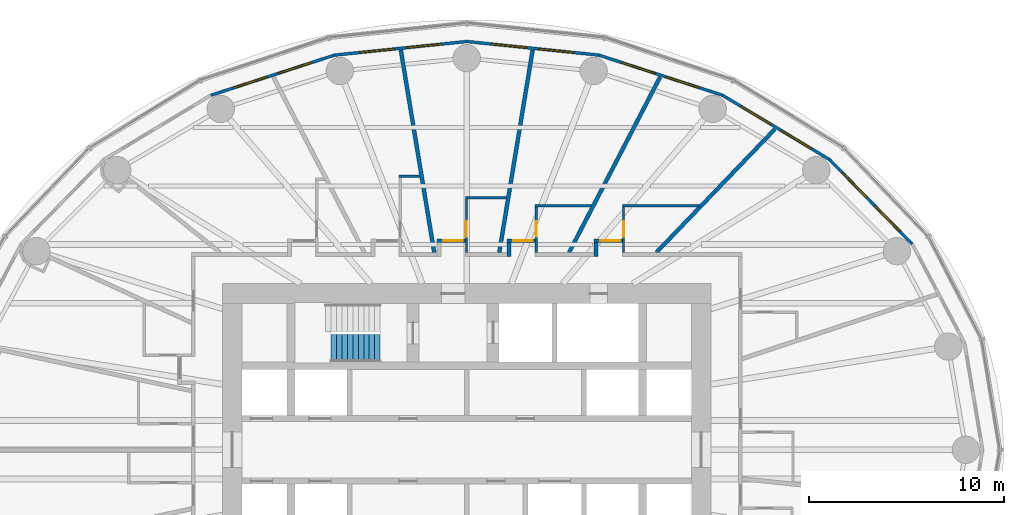
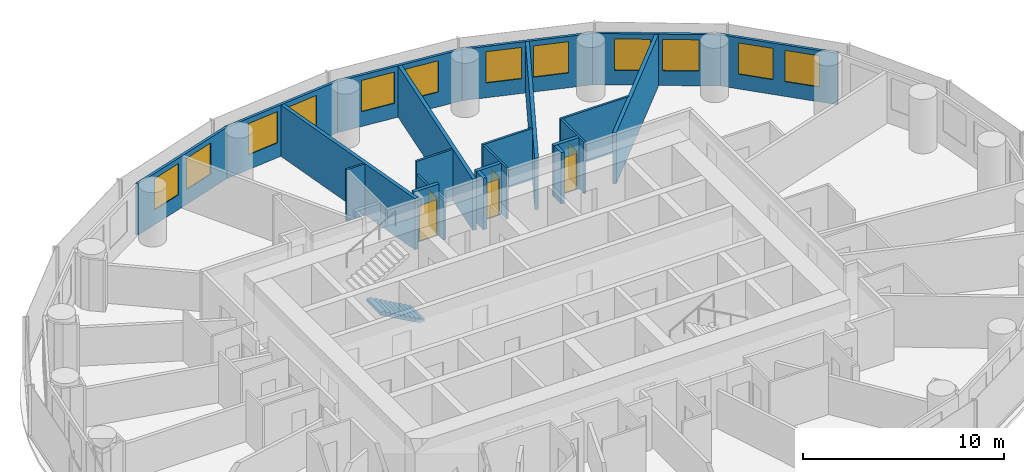
# One storey, part 12 of 14: 22 walls, 12 windows, 6 doors, 1 stair flight, 18 openings, 1 element without a shape of its own.
"""IFC4 building model written with IfcOpenShell, lengths in metres."""

from ifc_helpers import new_model, si_unit, direction, frame, frame_2d, origin, place, context, subcontext, project, spatial, polyline, rectangle, outline, extrude, material, layer, layer_set, type_object, element, fill, aggregate, save


model = new_model("IFC4")

# Units and contexts
model_context = context("Model", 3, precision=1e-05, world=origin(), true_north=direction((0.0, 1.0)))
body_context = subcontext(model_context, "Body", "Model", "MODEL_VIEW")
ifc_project = project(units=[si_unit("LENGTHUNIT", "METRE"), si_unit("AREAUNIT", "SQUARE_METRE"), si_unit("VOLUMEUNIT", "CUBIC_METRE"), si_unit("PLANEANGLEUNIT", "RADIAN"), si_unit("MASSUNIT", "GRAM", prefix="KILO")], contexts=[model_context])

# Site, building, storey
site_placement = place(None, origin())
site = spatial("IfcSite", under=ifc_project, at=site_placement, CompositionType="ELEMENT")
building_placement = place(site_placement, origin())
building = spatial("IfcBuilding", under=site, at=building_placement, Name="Hankou Lantern Tower", CompositionType="ELEMENT")
storey_placement = place(building_placement, frame((0.0, 0.0, 54.0)))
storey = spatial("IfcBuildingStorey", under=building, at=storey_placement, Name="L12", CompositionType="ELEMENT", Elevation=54.0)

# Wall, openings, windows
ifc_material_1 = material(Name="Aluminium spandrel panel on steel studs", Category="steel")
ifc_layer_1 = layer(ifc_material_1, 0.14990234375)
ifc_layer_set_1 = layer_set([ifc_layer_1], Name="Aluminium spandrel panel on steel studs")
wall_type_1 = type_object("IfcWallType", Name="EW1 INNER SKIN WALL 150", PredefinedType="ELEMENTEDWALL", material=ifc_layer_set_1)
wall_1_placement = place(storey_placement, frame((22.802734375, 10.5322265625, 0.0), z_axis=(0.0, 0.0, 1.0), x_axis=(-0.699602905915, 0.714531856557, 0.0)))
wall_1 = element("IfcWall", 1, at=wall_1_placement, inside=storey, type_object=wall_type_1, Name="Inner skin R03-R04 L12", PredefinedType="ELEMENTEDWALL", context=body_context, shape_type="SweptSolid", body=[
    extrude(rectangle(XDim=6.05078125, YDim=0.14990234375, at=frame_2d((3.025390625, 0.0))), origin(), (0.0, 0.0, 1.0), 3.1201171875),
])
opening_1_placement = place(wall_1_placement, frame((0.925537109375, 0.0, 0.89990234375)))
opening_1 = element("IfcOpeningElement", 2, at=opening_1_placement, cuts=wall_1, Name="Opening W1", PredefinedType="OPENING", context=body_context, shape_type="SweptSolid", body=[
    extrude(rectangle(XDim=1.800048828125, YDim=1.89990234375, at=frame_2d((0.89990234375, 0.949951171875))), frame((0.0, 0.0849609375, 0.0), z_axis=(0.0, -1.0, 0.0), x_axis=(1.0, 0.0, 0.0)), (0.0, 0.0, 1.0), 0.169921875),
])
opening_2_placement = place(wall_1_placement, frame((3.325439453125, 0.0, 0.89990234375)))
opening_2 = element("IfcOpeningElement", 3, at=opening_2_placement, cuts=wall_1, Name="Opening W1", PredefinedType="OPENING", context=body_context, shape_type="SweptSolid", body=[
    extrude(rectangle(XDim=1.800048828125, YDim=1.89990234375, at=frame_2d((0.89990234375, 0.949951171875))), frame((0.0, 0.0849609375, 0.0), z_axis=(0.0, -1.0, 0.0), x_axis=(1.0, 0.0, 0.0)), (0.0, 0.0, 1.0), 0.169921875),
])
ifc_material_2 = material(Name="Aluminium framed double glazed window", Category="aluminium")
window_type = type_object("IfcWindowType", Name="W1 GUEST ROOM WINDOW 1800X1900", PartitioningType="DOUBLE_PANEL_VERTICAL", PredefinedType="WINDOW", material=ifc_material_2)
window_1_placement = place(opening_1_placement, origin())
window_1 = element("IfcWindow", 4, at=window_1_placement, inside=storey, type_object=window_type, Name="Window R03.1 L12", OverallHeight=1.89990234375, OverallWidth=1.800048828125, PartitioningType="SINGLE_PANEL", PredefinedType="WINDOW", context=body_context, shape_type="SweptSolid", body=[
    extrude(rectangle(XDim=1.800048828125, YDim=1.89990234375, at=frame_2d((0.89990234375, 0.949951171875))), frame((0.0, 0.030029296875, 0.0), z_axis=(0.0, -1.0, 0.0), x_axis=(1.0, 0.0, 0.0)), (0.0, 0.0, 1.0), 0.06005859375),
])
fill(opening_1, window_1)
window_2_placement = place(opening_2_placement, origin())
window_2 = element("IfcWindow", 5, at=window_2_placement, inside=storey, type_object=window_type, Name="Window R03.2 L12", OverallHeight=1.89990234375, OverallWidth=1.800048828125, PartitioningType="SINGLE_PANEL", PredefinedType="WINDOW", context=body_context, shape_type="SweptSolid", body=[
    extrude(rectangle(XDim=1.800048828125, YDim=1.89990234375, at=frame_2d((0.89990234375, 0.949951171875))), frame((0.0, 0.030029296875, 0.0), z_axis=(0.0, -1.0, 0.0), x_axis=(1.0, 0.0, 0.0)), (0.0, 0.0, 1.0), 0.06005859375),
])
fill(opening_2, window_2)

wall_2_placement = place(storey_placement, frame((18.569580078125, 14.855712890625, 0.0), z_axis=(0.0, 0.0, 1.0), x_axis=(-0.856983180864, 0.515344377787, 0.0)))
wall_2 = element("IfcWall", 6, at=wall_2_placement, inside=storey, type_object=wall_type_1, Name="Inner skin R04-R05 L12", PredefinedType="ELEMENTEDWALL", context=body_context, shape_type="SweptSolid", body=[
    extrude(rectangle(XDim=6.386474609375, YDim=0.14990234375, at=frame_2d((3.193359375, 0.0))), origin(), (0.0, 0.0, 1.0), 3.1201171875),
])
opening_3_placement = place(wall_2_placement, frame((1.09326171875, 0.0, 0.89990234375)))
opening_3 = element("IfcOpeningElement", 7, at=opening_3_placement, cuts=wall_2, Name="Opening W1", PredefinedType="OPENING", context=body_context, shape_type="SweptSolid", body=[
    extrude(rectangle(XDim=1.800048828125, YDim=1.89990234375, at=frame_2d((0.89990234375, 0.949951171875))), frame((0.0, 0.0849609375, 0.0), z_axis=(0.0, -1.0, 0.0), x_axis=(1.0, 0.0, 0.0)), (0.0, 0.0, 1.0), 0.169921875),
])
opening_4_placement = place(wall_2_placement, frame((3.4931640625, 0.0, 0.89990234375)))
opening_4 = element("IfcOpeningElement", 8, at=opening_4_placement, cuts=wall_2, Name="Opening W1", PredefinedType="OPENING", context=body_context, shape_type="SweptSolid", body=[
    extrude(rectangle(XDim=1.800048828125, YDim=1.89990234375, at=frame_2d((0.89990234375, 0.949951171875))), frame((0.0, 0.0849609375, 0.0), z_axis=(0.0, -1.0, 0.0), x_axis=(1.0, 0.0, 0.0)), (0.0, 0.0, 1.0), 0.169921875),
])
window_3_placement = place(opening_3_placement, origin())
window_3 = element("IfcWindow", 9, at=window_3_placement, inside=storey, type_object=window_type, Name="Window R04.1 L12", OverallHeight=1.89990234375, OverallWidth=1.800048828125, PartitioningType="SINGLE_PANEL", PredefinedType="WINDOW", context=body_context, shape_type="SweptSolid", body=[
    extrude(rectangle(XDim=1.800048828125, YDim=1.89990234375, at=frame_2d((0.89990234375, 0.949951171875))), frame((0.0, 0.030029296875, 0.0), z_axis=(0.0, -1.0, 0.0), x_axis=(1.0, 0.0, 0.0)), (0.0, 0.0, 1.0), 0.06005859375),
])
fill(opening_3, window_3)
window_4_placement = place(opening_4_placement, origin())
window_4 = element("IfcWindow", 10, at=window_4_placement, inside=storey, type_object=window_type, Name="Window R04.2 L12", OverallHeight=1.89990234375, OverallWidth=1.800048828125, PartitioningType="SINGLE_PANEL", PredefinedType="WINDOW", context=body_context, shape_type="SweptSolid", body=[
    extrude(rectangle(XDim=1.800048828125, YDim=1.89990234375, at=frame_2d((0.89990234375, 0.949951171875))), frame((0.0, 0.030029296875, 0.0), z_axis=(0.0, -1.0, 0.0), x_axis=(1.0, 0.0, 0.0)), (0.0, 0.0, 1.0), 0.06005859375),
])
fill(opening_4, window_4)

wall_3_placement = place(storey_placement, frame((13.096435546875, 18.14697265625, 0.0), z_axis=(0.0, 0.0, 1.0), x_axis=(-0.951137534625, 0.308767534285, 0.0)))
wall_3 = element("IfcWall", 11, at=wall_3_placement, inside=storey, type_object=wall_type_1, Name="Inner skin R05-R06 L12", PredefinedType="ELEMENTEDWALL", context=body_context, shape_type="SweptSolid", body=[
    extrude(rectangle(XDim=6.6552734375, YDim=0.14990234375, at=frame_2d((3.32763671875, 0.0))), origin(), (0.0, 0.0, 1.0), 3.1201171875),
])
opening_5_placement = place(wall_3_placement, frame((1.2275390625, 0.0, 0.89990234375)))
opening_5 = element("IfcOpeningElement", 12, at=opening_5_placement, cuts=wall_3, Name="Opening W1", PredefinedType="OPENING", context=body_context, shape_type="SweptSolid", body=[
    extrude(rectangle(XDim=1.800048828125, YDim=1.89990234375, at=frame_2d((0.89990234375, 0.949951171875))), frame((0.0, 0.0849609375, 0.0), z_axis=(0.0, -1.0, 0.0), x_axis=(1.0, 0.0, 0.0)), (0.0, 0.0, 1.0), 0.169921875),
])
opening_6_placement = place(wall_3_placement, frame((3.627685546875, 0.0, 0.89990234375)))
opening_6 = element("IfcOpeningElement", 13, at=opening_6_placement, cuts=wall_3, Name="Opening W1", PredefinedType="OPENING", context=body_context, shape_type="SweptSolid", body=[
    extrude(rectangle(XDim=1.800048828125, YDim=1.89990234375, at=frame_2d((0.89990234375, 0.949951171875))), frame((0.0, 0.0849609375, 0.0), z_axis=(0.0, -1.0, 0.0), x_axis=(1.0, 0.0, 0.0)), (0.0, 0.0, 1.0), 0.169921875),
])
window_5_placement = place(opening_5_placement, origin())
window_5 = element("IfcWindow", 14, at=window_5_placement, inside=storey, type_object=window_type, Name="Window R05.1 L12", OverallHeight=1.89990234375, OverallWidth=1.800048828125, PartitioningType="SINGLE_PANEL", PredefinedType="WINDOW", context=body_context, shape_type="SweptSolid", body=[
    extrude(rectangle(XDim=1.800048828125, YDim=1.89990234375, at=frame_2d((0.89990234375, 0.949951171875))), frame((0.0, 0.030029296875, 0.0), z_axis=(0.0, -1.0, 0.0), x_axis=(1.0, 0.0, 0.0)), (0.0, 0.0, 1.0), 0.06005859375),
])
fill(opening_5, window_5)
window_6_placement = place(opening_6_placement, origin())
window_6 = element("IfcWindow", 15, at=window_6_placement, inside=storey, type_object=window_type, Name="Window R05.2 L12", OverallHeight=1.89990234375, OverallWidth=1.800048828125, PartitioningType="SINGLE_PANEL", PredefinedType="WINDOW", context=body_context, shape_type="SweptSolid", body=[
    extrude(rectangle(XDim=1.800048828125, YDim=1.89990234375, at=frame_2d((0.89990234375, 0.949951171875))), frame((0.0, 0.030029296875, 0.0), z_axis=(0.0, -1.0, 0.0), x_axis=(1.0, 0.0, 0.0)), (0.0, 0.0, 1.0), 0.06005859375),
])
fill(opening_6, window_6)

wall_4_placement = place(storey_placement, frame((6.766357421875, 20.201904296875, 0.0), z_axis=(0.0, 0.0, 1.0), x_axis=(-0.994721394369, 0.102612609291, 0.0)))
wall_4 = element("IfcWall", 16, at=wall_4_placement, inside=storey, type_object=wall_type_1, Name="Inner skin R06-R07 L12", PredefinedType="ELEMENTEDWALL", context=body_context, shape_type="SweptSolid", body=[
    extrude(rectangle(XDim=6.80224609375, YDim=0.14990234375, at=frame_2d((3.401123046875, 0.0))), origin(), (0.0, 0.0, 1.0), 3.1201171875),
])
opening_7_placement = place(wall_4_placement, frame((1.301025390625, 0.0, 0.89990234375)))
opening_7 = element("IfcOpeningElement", 17, at=opening_7_placement, cuts=wall_4, Name="Opening W1", PredefinedType="OPENING", context=body_context, shape_type="SweptSolid", body=[
    extrude(rectangle(XDim=1.800048828125, YDim=1.89990234375, at=frame_2d((0.89990234375, 0.949951171875))), frame((0.0, 0.0849609375, 0.0), z_axis=(0.0, -1.0, 0.0), x_axis=(1.0, 0.0, 0.0)), (0.0, 0.0, 1.0), 0.169921875),
])
opening_8_placement = place(wall_4_placement, frame((3.701171875, 0.0, 0.89990234375)))
opening_8 = element("IfcOpeningElement", 18, at=opening_8_placement, cuts=wall_4, Name="Opening W1", PredefinedType="OPENING", context=body_context, shape_type="SweptSolid", body=[
    extrude(rectangle(XDim=1.800048828125, YDim=1.89990234375, at=frame_2d((0.89990234375, 0.949951171875))), frame((0.0, 0.0849609375, 0.0), z_axis=(0.0, -1.0, 0.0), x_axis=(1.0, 0.0, 0.0)), (0.0, 0.0, 1.0), 0.169921875),
])
window_7_placement = place(opening_7_placement, origin())
window_7 = element("IfcWindow", 19, at=window_7_placement, inside=storey, type_object=window_type, Name="Window R06.1 L12", OverallHeight=1.89990234375, OverallWidth=1.800048828125, PartitioningType="SINGLE_PANEL", PredefinedType="WINDOW", context=body_context, shape_type="SweptSolid", body=[
    extrude(rectangle(XDim=1.800048828125, YDim=1.89990234375, at=frame_2d((0.89990234375, 0.949951171875))), frame((0.0, 0.030029296875, 0.0), z_axis=(0.0, -1.0, 0.0), x_axis=(1.0, 0.0, 0.0)), (0.0, 0.0, 1.0), 0.06005859375),
])
fill(opening_7, window_7)
window_8_placement = place(opening_8_placement, origin())
window_8 = element("IfcWindow", 20, at=window_8_placement, inside=storey, type_object=window_type, Name="Window R06.2 L12", OverallHeight=1.89990234375, OverallWidth=1.800048828125, PartitioningType="SINGLE_PANEL", PredefinedType="WINDOW", context=body_context, shape_type="SweptSolid", body=[
    extrude(rectangle(XDim=1.800048828125, YDim=1.89990234375, at=frame_2d((0.89990234375, 0.949951171875))), frame((0.0, 0.030029296875, 0.0), z_axis=(0.0, -1.0, 0.0), x_axis=(1.0, 0.0, 0.0)), (0.0, 0.0, 1.0), 0.06005859375),
])
fill(opening_8, window_8)

wall_5_placement = place(storey_placement, frame((0.0, 20.89990234375, 0.0), z_axis=(0.0, 0.0, 1.0), x_axis=(-0.994721394369, -0.102612609291, 0.0)))
wall_5 = element("IfcWall", 21, at=wall_5_placement, inside=storey, type_object=wall_type_1, Name="Inner skin R07-R08 L12", PredefinedType="ELEMENTEDWALL", context=body_context, shape_type="SweptSolid", body=[
    extrude(rectangle(XDim=6.80224609375, YDim=0.14990234375, at=frame_2d((3.401123046875, 0.0))), origin(), (0.0, 0.0, 1.0), 3.1201171875),
])
opening_9_placement = place(wall_5_placement, frame((1.301025390625, 0.0, 0.89990234375)))
opening_9 = element("IfcOpeningElement", 22, at=opening_9_placement, cuts=wall_5, Name="Opening W1", PredefinedType="OPENING", context=body_context, shape_type="SweptSolid", body=[
    extrude(rectangle(XDim=1.800048828125, YDim=1.89990234375, at=frame_2d((0.89990234375, 0.949951171875))), frame((0.0, 0.0849609375, 0.0), z_axis=(0.0, -1.0, 0.0), x_axis=(1.0, 0.0, 0.0)), (0.0, 0.0, 1.0), 0.169921875),
])
opening_10_placement = place(wall_5_placement, frame((3.701171875, 0.0, 0.89990234375)))
opening_10 = element("IfcOpeningElement", 23, at=opening_10_placement, cuts=wall_5, Name="Opening W1", PredefinedType="OPENING", context=body_context, shape_type="SweptSolid", body=[
    extrude(rectangle(XDim=1.800048828125, YDim=1.89990234375, at=frame_2d((0.89990234375, 0.949951171875))), frame((0.0, 0.0849609375, 0.0), z_axis=(0.0, -1.0, 0.0), x_axis=(1.0, 0.0, 0.0)), (0.0, 0.0, 1.0), 0.169921875),
])
window_9_placement = place(opening_9_placement, origin())
window_9 = element("IfcWindow", 24, at=window_9_placement, inside=storey, type_object=window_type, Name="Window R07.1 L12", OverallHeight=1.89990234375, OverallWidth=1.800048828125, PartitioningType="SINGLE_PANEL", PredefinedType="WINDOW", context=body_context, shape_type="SweptSolid", body=[
    extrude(rectangle(XDim=1.800048828125, YDim=1.89990234375, at=frame_2d((0.89990234375, 0.949951171875))), frame((0.0, 0.030029296875, 0.0), z_axis=(0.0, -1.0, 0.0), x_axis=(1.0, 0.0, 0.0)), (0.0, 0.0, 1.0), 0.06005859375),
])
fill(opening_9, window_9)
window_10_placement = place(opening_10_placement, origin())
window_10 = element("IfcWindow", 25, at=window_10_placement, inside=storey, type_object=window_type, Name="Window R07.2 L12", OverallHeight=1.89990234375, OverallWidth=1.800048828125, PartitioningType="SINGLE_PANEL", PredefinedType="WINDOW", context=body_context, shape_type="SweptSolid", body=[
    extrude(rectangle(XDim=1.800048828125, YDim=1.89990234375, at=frame_2d((0.89990234375, 0.949951171875))), frame((0.0, 0.030029296875, 0.0), z_axis=(0.0, -1.0, 0.0), x_axis=(1.0, 0.0, 0.0)), (0.0, 0.0, 1.0), 0.06005859375),
])
fill(opening_10, window_10)

wall_6_placement = place(storey_placement, frame((-6.766357421875, 20.201904296875, 0.0), z_axis=(0.0, 0.0, 1.0), x_axis=(-0.951137534625, -0.308767534285, 0.0)))
wall_6 = element("IfcWall", 26, at=wall_6_placement, inside=storey, type_object=wall_type_1, Name="Inner skin R08-R09 L12", PredefinedType="ELEMENTEDWALL", context=body_context, shape_type="SweptSolid", body=[
    extrude(rectangle(XDim=6.6552734375, YDim=0.14990234375, at=frame_2d((3.32763671875, 0.0))), origin(), (0.0, 0.0, 1.0), 3.1201171875),
])
opening_11_placement = place(wall_6_placement, frame((1.2275390625, 0.0, 0.89990234375)))
opening_11 = element("IfcOpeningElement", 27, at=opening_11_placement, cuts=wall_6, Name="Opening W1", PredefinedType="OPENING", context=body_context, shape_type="SweptSolid", body=[
    extrude(rectangle(XDim=1.800048828125, YDim=1.89990234375, at=frame_2d((0.89990234375, 0.949951171875))), frame((0.0, 0.0849609375, 0.0), z_axis=(0.0, -1.0, 0.0), x_axis=(1.0, 0.0, 0.0)), (0.0, 0.0, 1.0), 0.169921875),
])
opening_12_placement = place(wall_6_placement, frame((3.627685546875, 0.0, 0.89990234375)))
opening_12 = element("IfcOpeningElement", 28, at=opening_12_placement, cuts=wall_6, Name="Opening W1", PredefinedType="OPENING", context=body_context, shape_type="SweptSolid", body=[
    extrude(rectangle(XDim=1.800048828125, YDim=1.89990234375, at=frame_2d((0.89990234375, 0.949951171875))), frame((0.0, 0.0849609375, 0.0), z_axis=(0.0, -1.0, 0.0), x_axis=(1.0, 0.0, 0.0)), (0.0, 0.0, 1.0), 0.169921875),
])
window_11_placement = place(opening_11_placement, origin())
window_11 = element("IfcWindow", 29, at=window_11_placement, inside=storey, type_object=window_type, Name="Window R08.1 L12", OverallHeight=1.89990234375, OverallWidth=1.800048828125, PartitioningType="SINGLE_PANEL", PredefinedType="WINDOW", context=body_context, shape_type="SweptSolid", body=[
    extrude(rectangle(XDim=1.800048828125, YDim=1.89990234375, at=frame_2d((0.89990234375, 0.949951171875))), frame((0.0, 0.030029296875, 0.0), z_axis=(0.0, -1.0, 0.0), x_axis=(1.0, 0.0, 0.0)), (0.0, 0.0, 1.0), 0.06005859375),
])
fill(opening_11, window_11)
window_12_placement = place(opening_12_placement, origin())
window_12 = element("IfcWindow", 30, at=window_12_placement, inside=storey, type_object=window_type, Name="Window R08.2 L12", OverallHeight=1.89990234375, OverallWidth=1.800048828125, PartitioningType="SINGLE_PANEL", PredefinedType="WINDOW", context=body_context, shape_type="SweptSolid", body=[
    extrude(rectangle(XDim=1.800048828125, YDim=1.89990234375, at=frame_2d((0.89990234375, 0.949951171875))), frame((0.0, 0.030029296875, 0.0), z_axis=(0.0, -1.0, 0.0), x_axis=(1.0, 0.0, 0.0)), (0.0, 0.0, 1.0), 0.06005859375),
])
fill(opening_12, window_12)

# Walls
ifc_material_3 = material(Name="Masonry lightweight concrete block", Category="masonry")
ifc_layer_2 = layer(ifc_material_3, 0.199951171875)
ifc_layer_set_2 = layer_set([ifc_layer_2], Name="Masonry lightweight concrete block")
wall_type_2 = type_object("IfcWallType", Name="IW1 GUEST ROOM PARTY WALL 200", PredefinedType="PARTITIONING", material=ifc_layer_set_2)
wall_7_placement = place(storey_placement, frame((9.705078125, 10.10009765625, 0.0), z_axis=(0.0, 0.0, 1.0), x_axis=(0.692879226267, 0.721053658064, 0.0)))
element("IfcWall", 31, at=wall_7_placement, inside=storey, type_object=wall_type_2, Name="Party wall R04-R05", PredefinedType="PARTITIONING", context=body_context, shape_type="SweptSolid", body=[
    extrude(rectangle(XDim=8.7607421875, YDim=0.199951171875, at=frame_2d((4.38037109375, 0.0))), origin(), (0.0, 0.0, 1.0), 3.1201171875),
])
wall_8_placement = place(storey_placement, frame((5.238525390625, 10.10009765625, 0.0), z_axis=(0.0, 0.0, 1.0), x_axis=(0.460422783389, 0.887699758103, 0.0)))
element("IfcWall", 32, at=wall_8_placement, inside=storey, type_object=wall_type_2, Name="Party wall R05-R06", PredefinedType="PARTITIONING", context=body_context, shape_type="SweptSolid", body=[
    extrude(rectangle(XDim=10.120361328125, YDim=0.199951171875, at=frame_2d((5.06005859375, 0.0))), origin(), (0.0, 0.0, 1.0), 3.1201171875),
])
for number, where, z_axis, x_axis, name in (
    (33, (1.6650390625, 10.10009765625, 0.0), (0.0, 0.0, 1.0), (0.162657606458, 0.986682574621, 0.0), "Party wall R06-R07"),
    (34, (-1.6650390625, 10.10009765625, 0.0), (0.0, 0.0, 1.0), (-0.162657606458, 0.986682574621, 0.0), "Party wall R07-R08"),
):
    element("IfcWall", number, at=place(storey_placement, frame(where, z_axis=z_axis, x_axis=x_axis)), inside=storey, type_object=wall_type_2, Name=name, PredefinedType="PARTITIONING", context=body_context, shape_type="SweptSolid", body=[
        extrude(rectangle(XDim=10.505126953125, YDim=0.199951171875, at=frame_2d((5.25244140625, 0.0))), origin(), (0.0, 0.0, 1.0), 3.1201171875),
    ])

# Wall, opening, door
ifc_material_4 = material(Name="Masonry lightweight concrete block", Category="masonry")
ifc_layer_3 = layer(ifc_material_4, 0.199951171875)
ifc_layer_set_3 = layer_set([ifc_layer_3], Name="Masonry lightweight concrete block")
wall_type_3 = type_object("IfcWallType", Name="IW2 CORRIDOR WALL 200", PredefinedType="PARTITIONING", material=ifc_layer_set_3)
wall_9_placement = place(storey_placement, frame((6.525146484375, 10.699951171875, 0.0), z_axis=(0.0, 0.0, 1.0), x_axis=(1.0, 0.0, 0.0)))
wall_9 = element("IfcWall", 35, at=wall_9_placement, inside=storey, type_object=wall_type_3, Name="Corridor recess wall 1201 back", PredefinedType="PARTITIONING", context=body_context, shape_type="SweptSolid", body=[
    extrude(rectangle(XDim=1.43994140625, YDim=0.199951171875, at=frame_2d((0.719970703125, 0.0))), origin(), (0.0, 0.0, 1.0), 3.1201171875),
])
opening_13_placement = place(wall_9_placement, frame((0.320068359375, 0.0, 0.0)))
opening_13 = element("IfcOpeningElement", 36, at=opening_13_placement, cuts=wall_9, Name="Opening D1", PredefinedType="OPENING", context=body_context, shape_type="SweptSolid", body=[
    extrude(rectangle(XDim=1.0, YDim=2.199951171875, at=frame_2d((0.5, 1.10009765625))), frame((0.0, 0.10986328125, 0.0), z_axis=(0.0, -1.0, 0.0), x_axis=(1.0, 0.0, 0.0)), (0.0, 0.0, 1.0), 0.219970703125),
])
ifc_material_5 = material(Name="Steel door leaf", Category="steel")
door_type_1 = type_object("IfcDoorType", Name="D1 GUEST ROOM DOOR 1000X2200", OperationType="SINGLE_SWING_LEFT", PredefinedType="DOOR", material=ifc_material_5)
door_1_placement = place(opening_13_placement, origin())
door_1 = element("IfcDoor", 37, at=door_1_placement, inside=storey, type_object=door_type_1, Name="Guest room door 1201", OperationType="SINGLE_SWING_RIGHT", OverallHeight=2.199951171875, OverallWidth=1.0, PredefinedType="DOOR", context=body_context, shape_type="SweptSolid", body=[
    extrude(rectangle(XDim=1.0, YDim=2.199951171875, at=frame_2d((0.5, 1.10009765625))), frame((0.0, 0.02490234375, 0.0), z_axis=(0.0, -1.0, 0.0), x_axis=(1.0, 0.0, 0.0)), (0.0, 0.0, 1.0), 0.050048828125),
])
fill(opening_13, door_1)

# Wall
wall_10_placement = place(storey_placement, frame((6.625, 9.89990234375, 0.0), z_axis=(0.0, 0.0, 1.0), x_axis=(0.0, 1.0, 0.0)))
element("IfcWall", 38, at=wall_10_placement, inside=storey, type_object=wall_type_3, Name="Corridor recess wall 1201 side", PredefinedType="PARTITIONING", context=body_context, shape_type="SweptSolid", body=[
    extrude(rectangle(XDim=0.7001953125, YDim=0.199951171875, at=frame_2d((0.35009765625, 0.0))), origin(), (0.0, 0.0, 1.0), 3.1201171875),
])

# Wall, opening, door
wall_11_placement = place(storey_placement, frame((2.05859375, 10.699951171875, 0.0), z_axis=(0.0, 0.0, 1.0), x_axis=(1.0, 0.0, 0.0)))
wall_11 = element("IfcWall", 39, at=wall_11_placement, inside=storey, type_object=wall_type_3, Name="Corridor recess wall 1202 back", PredefinedType="PARTITIONING", context=body_context, shape_type="SweptSolid", body=[
    extrude(rectangle(XDim=1.43994140625, YDim=0.199951171875, at=frame_2d((0.719970703125, 0.0))), origin(), (0.0, 0.0, 1.0), 3.1201171875),
])
opening_14_placement = place(wall_11_placement, frame((0.320068359375, 0.0, 0.0)))
opening_14 = element("IfcOpeningElement", 40, at=opening_14_placement, cuts=wall_11, Name="Opening D1", PredefinedType="OPENING", context=body_context, shape_type="SweptSolid", body=[
    extrude(rectangle(XDim=1.0, YDim=2.199951171875, at=frame_2d((0.5, 1.10009765625))), frame((0.0, 0.10986328125, 0.0), z_axis=(0.0, -1.0, 0.0), x_axis=(1.0, 0.0, 0.0)), (0.0, 0.0, 1.0), 0.219970703125),
])
door_2_placement = place(opening_14_placement, origin())
door_2 = element("IfcDoor", 41, at=door_2_placement, inside=storey, type_object=door_type_1, Name="Guest room door 1202", OperationType="SINGLE_SWING_RIGHT", OverallHeight=2.199951171875, OverallWidth=1.0, PredefinedType="DOOR", context=body_context, shape_type="SweptSolid", body=[
    extrude(rectangle(XDim=1.0, YDim=2.199951171875, at=frame_2d((0.5, 1.10009765625))), frame((0.0, 0.02490234375, 0.0), z_axis=(0.0, -1.0, 0.0), x_axis=(1.0, 0.0, 0.0)), (0.0, 0.0, 1.0), 0.050048828125),
])
fill(opening_14, door_2)

# Wall
wall_12_placement = place(storey_placement, frame((2.15869140625, 9.89990234375, 0.0), z_axis=(0.0, 0.0, 1.0), x_axis=(0.0, 1.0, 0.0)))
element("IfcWall", 42, at=wall_12_placement, inside=storey, type_object=wall_type_3, Name="Corridor recess wall 1202 side", PredefinedType="PARTITIONING", context=body_context, shape_type="SweptSolid", body=[
    extrude(rectangle(XDim=0.7001953125, YDim=0.199951171875, at=frame_2d((0.35009765625, 0.0))), origin(), (0.0, 0.0, 1.0), 3.1201171875),
])

# Wall, opening, door
wall_13_placement = place(storey_placement, frame((-1.51513671875, 10.699951171875, 0.0), z_axis=(0.0, 0.0, 1.0), x_axis=(1.0, 0.0, 0.0)))
wall_13 = element("IfcWall", 43, at=wall_13_placement, inside=storey, type_object=wall_type_3, Name="Corridor recess wall 1203 back", PredefinedType="PARTITIONING", context=body_context, shape_type="SweptSolid", body=[
    extrude(rectangle(XDim=1.440185546875, YDim=0.199951171875, at=frame_2d((0.72021484375, 0.0))), origin(), (0.0, 0.0, 1.0), 3.1201171875),
])
opening_15_placement = place(wall_13_placement, frame((0.320068359375, 0.0, 0.0)))
opening_15 = element("IfcOpeningElement", 44, at=opening_15_placement, cuts=wall_13, Name="Opening D1", PredefinedType="OPENING", context=body_context, shape_type="SweptSolid", body=[
    extrude(rectangle(XDim=1.0, YDim=2.199951171875, at=frame_2d((0.5, 1.10009765625))), frame((0.0, 0.10986328125, 0.0), z_axis=(0.0, -1.0, 0.0), x_axis=(1.0, 0.0, 0.0)), (0.0, 0.0, 1.0), 0.219970703125),
])
door_3_placement = place(opening_15_placement, origin())
door_3 = element("IfcDoor", 45, at=door_3_placement, inside=storey, type_object=door_type_1, Name="Guest room door 1203", OperationType="SINGLE_SWING_RIGHT", OverallHeight=2.199951171875, OverallWidth=1.0, PredefinedType="DOOR", context=body_context, shape_type="SweptSolid", body=[
    extrude(rectangle(XDim=1.0, YDim=2.199951171875, at=frame_2d((0.5, 1.10009765625))), frame((0.0, 0.02490234375, 0.0), z_axis=(0.0, -1.0, 0.0), x_axis=(1.0, 0.0, 0.0)), (0.0, 0.0, 1.0), 0.050048828125),
])
fill(opening_15, door_3)

# Wall
ifc_material_6 = material(Name="Masonry lightweight concrete block", Category="masonry")
ifc_layer_4 = layer(ifc_material_6, 0.1201171875)
ifc_layer_set_4 = layer_set([ifc_layer_4], Name="Masonry lightweight concrete block")
wall_type_4 = type_object("IfcWallType", Name="IW3 BATHROOM WALL 120", PredefinedType="PARTITIONING", material=ifc_layer_set_4)
wall_14_placement = place(storey_placement, frame((11.911376953125, 12.5, 0.0), z_axis=(0.0, 0.0, 1.0), x_axis=(-1.0, 0.0, 0.0)))
element("IfcWall", 46, at=wall_14_placement, inside=storey, type_object=wall_type_4, Name="Box wall 1201 1", PredefinedType="PARTITIONING", context=body_context, shape_type="SweptSolid", body=[
    extrude(rectangle(XDim=3.9462890625, YDim=0.1201171875, at=frame_2d((1.97314453125, 0.0))), origin(), (0.0, 0.0, 1.0), 3.1201171875),
])

# Wall, opening, door
wall_15_placement = place(storey_placement, frame((8.025146484375, 10.10009765625, 0.0), z_axis=(0.0, 0.0, 1.0), x_axis=(0.0, 1.0, 0.0)))
wall_15 = element("IfcWall", 47, at=wall_15_placement, inside=storey, type_object=wall_type_4, Name="Box wall 1201 1", PredefinedType="PARTITIONING", context=body_context, shape_type="SweptSolid", body=[
    extrude(rectangle(XDim=2.33984375, YDim=0.1201171875, at=frame_2d((1.169921875, 0.0))), origin(), (0.0, 0.0, 1.0), 3.1201171875),
])
opening_16_placement = place(wall_15_placement, frame((0.800048828125, 0.0, 0.0)))
opening_16 = element("IfcOpeningElement", 48, at=opening_16_placement, cuts=wall_15, Name="Opening D3", PredefinedType="OPENING", context=body_context, shape_type="SweptSolid", body=[
    extrude(rectangle(XDim=0.800048828125, YDim=2.10009765625, at=frame_2d((0.39990234375, 1.050048828125))), frame((0.0, 0.070068359375, 0.0), z_axis=(0.0, -1.0, 0.0), x_axis=(1.0, 0.0, 0.0)), (0.0, 0.0, 1.0), 0.14013671875),
])
ifc_material_7 = material(Name="Timber door leaf", Category="wood")
door_type_2 = type_object("IfcDoorType", Name="D3 BATHROOM DOOR 800X2100", OperationType="SINGLE_SWING_LEFT", PredefinedType="DOOR", material=ifc_material_7)
door_4_placement = place(opening_16_placement, origin())
door_4 = element("IfcDoor", 49, at=door_4_placement, inside=storey, type_object=door_type_2, Name="En-suite bathroom 1201 door", OperationType="SINGLE_SWING_LEFT", OverallHeight=2.10009765625, OverallWidth=0.800048828125, PredefinedType="DOOR", context=body_context, shape_type="SweptSolid", body=[
    extrude(rectangle(XDim=0.800048828125, YDim=2.10009765625, at=frame_2d((0.39990234375, 1.050048828125))), frame((0.0, 0.02490234375, 0.0), z_axis=(0.0, -1.0, 0.0), x_axis=(1.0, 0.0, 0.0)), (0.0, 0.0, 1.0), 0.050048828125),
])
fill(opening_16, door_4)

# Wall
wall_16_placement = place(storey_placement, frame((6.38330078125, 12.5, 0.0), z_axis=(0.0, 0.0, 1.0), x_axis=(-1.0, 0.0, 0.0)))
element("IfcWall", 50, at=wall_16_placement, inside=storey, type_object=wall_type_4, Name="Box wall 1202 1", PredefinedType="PARTITIONING", context=body_context, shape_type="SweptSolid", body=[
    extrude(rectangle(XDim=2.884765625, YDim=0.1201171875, at=frame_2d((1.4423828125, 0.0))), origin(), (0.0, 0.0, 1.0), 3.1201171875),
])

# Wall, opening, door
wall_17_placement = place(storey_placement, frame((3.55859375, 10.10009765625, 0.0), z_axis=(0.0, 0.0, 1.0), x_axis=(0.0, 1.0, 0.0)))
wall_17 = element("IfcWall", 51, at=wall_17_placement, inside=storey, type_object=wall_type_4, Name="Box wall 1202 1", PredefinedType="PARTITIONING", context=body_context, shape_type="SweptSolid", body=[
    extrude(rectangle(XDim=2.33984375, YDim=0.1201171875, at=frame_2d((1.169921875, 0.0))), origin(), (0.0, 0.0, 1.0), 3.1201171875),
])
opening_17_placement = place(wall_17_placement, frame((0.800048828125, 0.0, 0.0)))
opening_17 = element("IfcOpeningElement", 52, at=opening_17_placement, cuts=wall_17, Name="Opening D3", PredefinedType="OPENING", context=body_context, shape_type="SweptSolid", body=[
    extrude(rectangle(XDim=0.800048828125, YDim=2.10009765625, at=frame_2d((0.39990234375, 1.050048828125))), frame((0.0, 0.070068359375, 0.0), z_axis=(0.0, -1.0, 0.0), x_axis=(1.0, 0.0, 0.0)), (0.0, 0.0, 1.0), 0.14013671875),
])
door_5_placement = place(opening_17_placement, origin())
door_5 = element("IfcDoor", 53, at=door_5_placement, inside=storey, type_object=door_type_2, Name="En-suite bathroom 1202 door", OperationType="SINGLE_SWING_LEFT", OverallHeight=2.10009765625, OverallWidth=0.800048828125, PredefinedType="DOOR", context=body_context, shape_type="SweptSolid", body=[
    extrude(rectangle(XDim=0.800048828125, YDim=2.10009765625, at=frame_2d((0.39990234375, 1.050048828125))), frame((0.0, 0.02490234375, 0.0), z_axis=(0.0, -1.0, 0.0), x_axis=(1.0, 0.0, 0.0)), (0.0, 0.0, 1.0), 0.050048828125),
])
fill(opening_17, door_5)

# Wall
wall_18_placement = place(storey_placement, frame((2.026611328125, 12.89990234375, 0.0), z_axis=(0.0, 0.0, 1.0), x_axis=(-1.0, 0.0, 0.0)))
element("IfcWall", 54, at=wall_18_placement, inside=storey, type_object=wall_type_4, Name="Box wall 1203 1", PredefinedType="PARTITIONING", context=body_context, shape_type="SweptSolid", body=[
    extrude(rectangle(XDim=2.1015625, YDim=0.1201171875, at=frame_2d((1.05078125, 0.0))), origin(), (0.0, 0.0, 1.0), 3.1201171875),
])

# Wall, opening, door
wall_19_placement = place(storey_placement, frame((-0.01513671875, 10.10009765625, 0.0), z_axis=(0.0, 0.0, 1.0), x_axis=(0.0, 1.0, 0.0)))
wall_19 = element("IfcWall", 55, at=wall_19_placement, inside=storey, type_object=wall_type_4, Name="Box wall 1203 1", PredefinedType="PARTITIONING", context=body_context, shape_type="SweptSolid", body=[
    extrude(rectangle(XDim=2.739990234375, YDim=0.1201171875, at=frame_2d((1.3701171875, 0.0))), origin(), (0.0, 0.0, 1.0), 2.320068359375),
])
opening_18_placement = place(wall_19_placement, frame((0.800048828125, 0.0, 0.0)))
opening_18 = element("IfcOpeningElement", 56, at=opening_18_placement, cuts=wall_19, Name="Opening D3", PredefinedType="OPENING", context=body_context, shape_type="SweptSolid", body=[
    extrude(rectangle(XDim=0.800048828125, YDim=2.10009765625, at=frame_2d((0.39990234375, 1.050048828125))), frame((0.0, 0.070068359375, 0.0), z_axis=(0.0, -1.0, 0.0), x_axis=(1.0, 0.0, 0.0)), (0.0, 0.0, 1.0), 0.14013671875),
])
door_6_placement = place(opening_18_placement, origin())
door_6 = element("IfcDoor", 57, at=door_6_placement, inside=storey, type_object=door_type_2, Name="En-suite bathroom 1203 door", OperationType="SINGLE_SWING_LEFT", OverallHeight=2.10009765625, OverallWidth=0.800048828125, PredefinedType="DOOR", context=body_context, shape_type="SweptSolid", body=[
    extrude(rectangle(XDim=0.800048828125, YDim=2.10009765625, at=frame_2d((0.39990234375, 1.050048828125))), frame((0.0, 0.02490234375, 0.0), z_axis=(0.0, -1.0, 0.0), x_axis=(1.0, 0.0, 0.0)), (0.0, 0.0, 1.0), 0.050048828125),
])
fill(opening_18, door_6)

# Wall
wall_20_placement = place(storey_placement, frame((-2.407958984375, 14.0, 0.0), z_axis=(0.0, 0.0, 1.0), x_axis=(-1.0, 0.0, 0.0)))
element("IfcWall", 58, at=wall_20_placement, inside=storey, type_object=wall_type_4, Name="Box wall 1204 1", PredefinedType="PARTITIONING", context=body_context, shape_type="SweptSolid", body=[
    extrude(rectangle(XDim=1.047119140625, YDim=0.1201171875, at=frame_2d((0.5234375, 0.0))), origin(), (0.0, 0.0, 1.0), 3.1201171875),
])

# Stair, stair flight
ifc_material_8 = material(Name="Concrete C40", Category="concrete")
stair_type = type_object("IfcStairType", Name="ST33 CORE STAIR 3300 RISE", PredefinedType="HALF_TURN_STAIR", material=ifc_material_8)
stair_placement = place(storey_placement, origin())
stair = element("IfcStair", 59, at=stair_placement, inside=storey, type_object=stair_type, Name="Stair STA L12", PredefinedType="HALF_TURN_STAIR")
ifc_material_9 = material(Name="Concrete C40", Category="concrete")
stair_flight_type = type_object("IfcStairFlightType", Name="CF10 CORE STAIR FLIGHT 1400 X 10 RISERS", PredefinedType="STRAIGHT", material=ifc_material_9)
stair_flight_placement = place(storey_placement, frame((-4.429931640625, 5.199951171875, 0.0), z_axis=(0.0, 0.0, 1.0), x_axis=(-1.0, 0.0, 0.0)))
stair_flight = element("IfcStairFlight", 60, at=stair_flight_placement, type_object=stair_flight_type, Name="STA flight 1", NumberOfRisers=10, NumberOfTreads=9, PredefinedType="STRAIGHT", RiserHeight=0.157142857, TreadLength=0.28, context=body_context, shape_type="SweptSolid", body=[
    extrude(outline(polyline([(0.0, 0.0), (0.0, 0.1572265625), (0.280029296875, 0.1572265625), (0.280029296875, 0.314208984375), (0.56005859375, 0.314208984375), (0.56005859375, 0.471435546875), (0.840087890625, 0.471435546875), (0.840087890625, 0.628662109375), (1.1201171875, 0.628662109375), (1.1201171875, 0.78564453125), (1.39990234375, 0.78564453125), (1.39990234375, 0.94287109375), (1.679931640625, 0.94287109375), (1.679931640625, 1.10009765625), (1.9599609375, 1.10009765625), (1.9599609375, 1.257080078125), (2.239990234375, 1.257080078125), (2.239990234375, 1.414306640625), (2.52001953125, 1.414306640625), (2.52001953125, 1.571533203125), (2.52001953125, 1.242431640625), (0.306396484375, 0.0), (0.0, 0.0)])), frame((0.0, 0.699951171875, 0.0), z_axis=(0.0, -1.0, 0.0), x_axis=(1.0, 0.0, 0.0)), (0.0, 0.0, 1.0), 1.39990234375),
])
aggregate(stair, [stair_flight])

save(model, "model.ifc")
